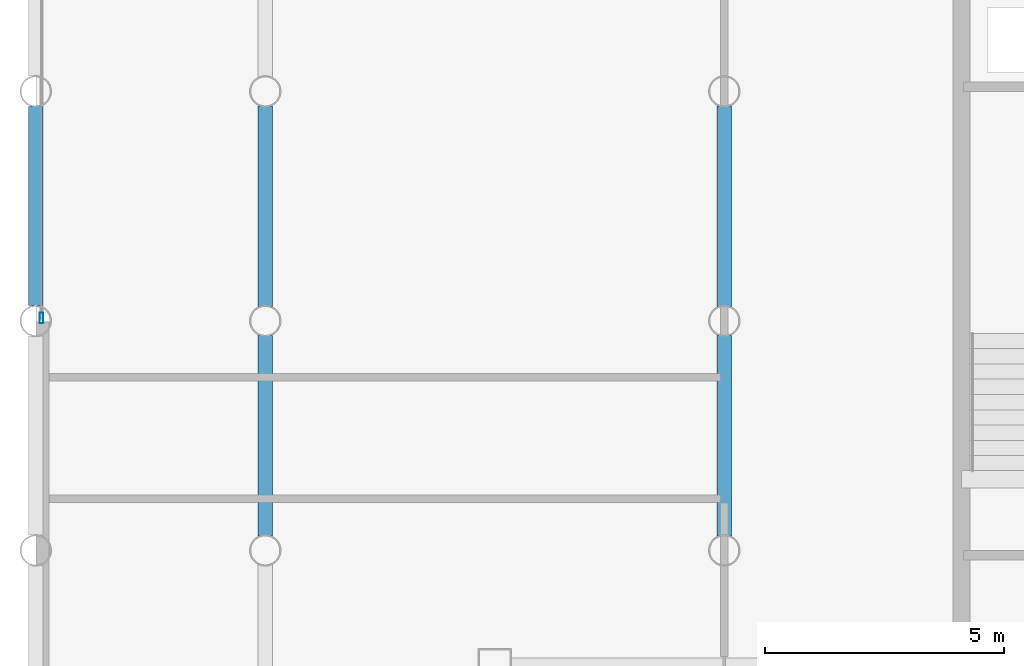
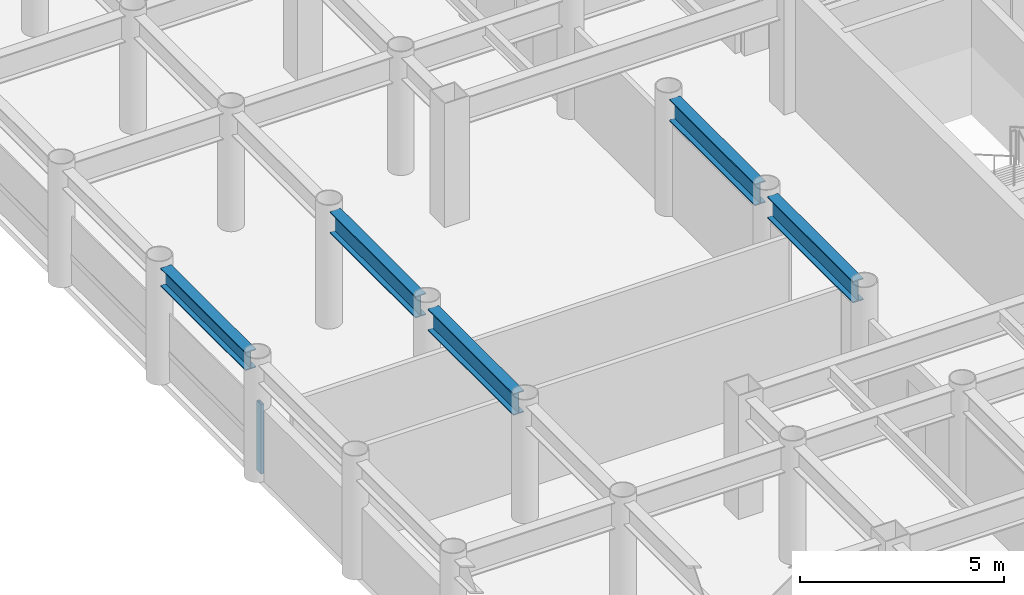
# One storey, part 4 of 21: 5 beams, 1 member, 1 element without a shape of its own.
"""IFC4 building model written with IfcOpenShell, lengths in metres."""

from ifc_helpers import new_model, si_unit, direction, frame, origin, origin_2d, place, context, subcontext, project, spatial, hollow_rectangle, i_section, extrude, material, layer, layer_set, material_profile, profile_set, type_object, element, aggregate, save


model = new_model("IFC4")

# Units and contexts
model_context = context("Model", 3, precision=1e-05, world=origin(), true_north=direction((0.0, 1.0)))
body_context = subcontext(model_context, "Body", "Model", "MODEL_VIEW")
ifc_project = project(units=[si_unit("LENGTHUNIT", "METRE"), si_unit("AREAUNIT", "SQUARE_METRE"), si_unit("VOLUMEUNIT", "CUBIC_METRE"), si_unit("PLANEANGLEUNIT", "RADIAN"), si_unit("MASSUNIT", "GRAM", prefix="KILO")], contexts=[model_context])

# Site, building, storey
site_placement = place(None, origin())
site = spatial("IfcSite", under=ifc_project, at=site_placement, CompositionType="ELEMENT")
building_placement = place(site_placement, origin())
building = spatial("IfcBuilding", under=site, at=building_placement, Name="Kallvorn Hotel Tower", CompositionType="ELEMENT")
storey_placement = place(building_placement, frame((0.0, 0.0, 139.60009765625)))
storey = spatial("IfcBuildingStorey", under=building, at=storey_placement, Name="L34", CompositionType="ELEMENT", Elevation=139.60009765625)

# Beams
ifc_material_1 = material(Name="Structural steel S355JR", Category="steel")
ifc_material_profile_1 = material_profile(ifc_material_1, i_section(OverallWidth=0.300048828125, OverallDepth=0.550048828125, WebThickness=0.014892578125, FlangeThickness=0.029052734375, at=origin_2d()), Name="HE 550 B")
ifc_profile_set_1 = profile_set([ifc_material_profile_1], Name="Structural steel S355JR")
beam_type_1 = type_object("IfcBeamType", Name="BM_HE550B", PredefinedType="SPANDREL", material=ifc_profile_set_1)
beam_placement = place(storey_placement, frame((-33.60009765625, 0.320068359375, 3.244873046875), z_axis=(0.0, 1.0, 0.0), x_axis=(-1.0, 0.0, 0.0)))
element("IfcBeam", 1, at=beam_placement, inside=storey, type_object=beam_type_1, Name="L35 Perimeter Spandrel 177", PredefinedType="SPANDREL", context=body_context, shape_type="SweptSolid", body=[
    extrude(i_section(OverallWidth=0.300048828125, OverallDepth=0.550048828125, WebThickness=0.014892578125, FlangeThickness=0.029052734375, at=origin_2d()), origin(), (0.0, 0.0, 1.0), 4.159912109375),
])
ifc_material_2 = material(Name="Structural steel S355JR", Category="steel")
ifc_material_profile_2 = material_profile(ifc_material_2, i_section(OverallWidth=0.300048828125, OverallDepth=0.64990234375, WebThickness=0.01611328125, FlangeThickness=0.031005859375, at=origin_2d()), Name="HE 650 B")
ifc_profile_set_2 = profile_set([ifc_material_profile_2], Name="Structural steel S355JR")
beam_type_2 = type_object("IfcBeamType", Name="BM_HE650B", PredefinedType="BEAM", material=ifc_profile_set_2)
for number, where, z_axis, x_axis, name in (
    (2, (-28.800048828125, -4.4951171875, 3.19482421875), (0.0, 1.0, 0.0), (-1.0, 0.0, 0.0), "L35 Primary Y-Girder 76"),
    (3, (-28.800048828125, 0.304931640625, 3.19482421875), (0.0, 1.0, 0.0), (-1.0, 0.0, 0.0), "L35 Primary Y-Girder 77"),
    (4, (-19.199951171875, -4.4951171875, 3.19482421875), (0.0, 1.0, 0.0), (-1.0, 0.0, 0.0), "L35 Primary Y-Girder 92"),
    (5, (-19.199951171875, 0.304931640625, 3.19482421875), (0.0, 1.0, 0.0), (-1.0, 0.0, 0.0), "L35 Primary Y-Girder 93"),
):
    element("IfcBeam", number, at=place(storey_placement, frame(where, z_axis=z_axis, x_axis=x_axis)), inside=storey, type_object=beam_type_2, Name=name, PredefinedType="BEAM", context=body_context, shape_type="SweptSolid", body=[
        extrude(i_section(OverallWidth=0.300048828125, OverallDepth=0.64990234375, WebThickness=0.01611328125, FlangeThickness=0.031005859375, at=origin_2d()), origin(), (0.0, 0.0, 1.0), 4.190185546875),
    ])

# Curtain wall, member
ifc_material_3 = material(Name="Thermally broken black-anodised aluminium AA 6063-T6", Category="aluminium")
ifc_layer = layer(ifc_material_3, 0.2099609375)
ifc_layer_set = layer_set([ifc_layer], Name="CW_SYS_4_HOTEL_MID")
curtain_wall_type = type_object("IfcCurtainWallType", Name="CW_SYS_4_HOTEL_MID", PredefinedType="USERDEFINED", material=ifc_layer_set)
curtain_wall_placement = place(storey_placement, origin())
curtain_wall = element("IfcCurtainWall", 6, at=curtain_wall_placement, inside=storey, type_object=curtain_wall_type, Name="L34 Dark-Glass Curtain Wall CW-L34-WN", ObjectType="UNITISED CURTAIN WALL", PredefinedType="USERDEFINED")
ifc_material_4 = material(Name="Thermally broken black-anodised aluminium AA 6063-T6", Category="aluminium")
ifc_material_profile_3 = material_profile(ifc_material_4, hollow_rectangle(XDim=0.080078125, YDim=0.219970703125, WallThickness=0.0048828125, at=origin_2d()), Name="MUL 220x80")
ifc_profile_set_3 = profile_set([ifc_material_profile_3], Name="Thermally broken black-anodised aluminium AA 6063-T6")
member_type = type_object("IfcMemberType", Name="CW_MULLION_220x80", PredefinedType="MULLION", material=ifc_profile_set_3)
member_placement = place(storey_placement, frame((-33.47998046875, 0.06005859375, 0.02001953125), z_axis=(0.0, 0.0, 1.0), x_axis=(1.0, 0.0, 0.0)))
member = element("IfcMember", 7, at=member_placement, type_object=member_type, Name="CW-L34-WN Mullion 00", PredefinedType="MULLION", context=body_context, shape_type="SweptSolid", body=[
    extrude(hollow_rectangle(XDim=0.080078125, YDim=0.219970703125, WallThickness=0.0048828125, at=origin_2d()), origin(), (0.0, 0.0, 1.0), 2.079833984375),
])
aggregate(curtain_wall, [member])

save(model, "model.ifc")
